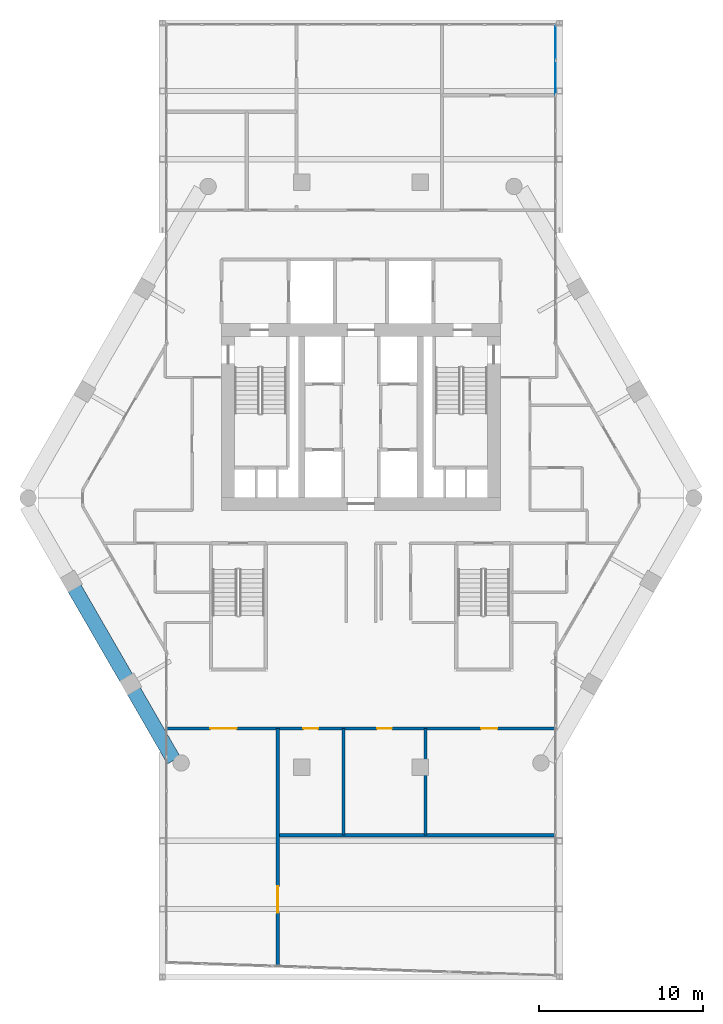
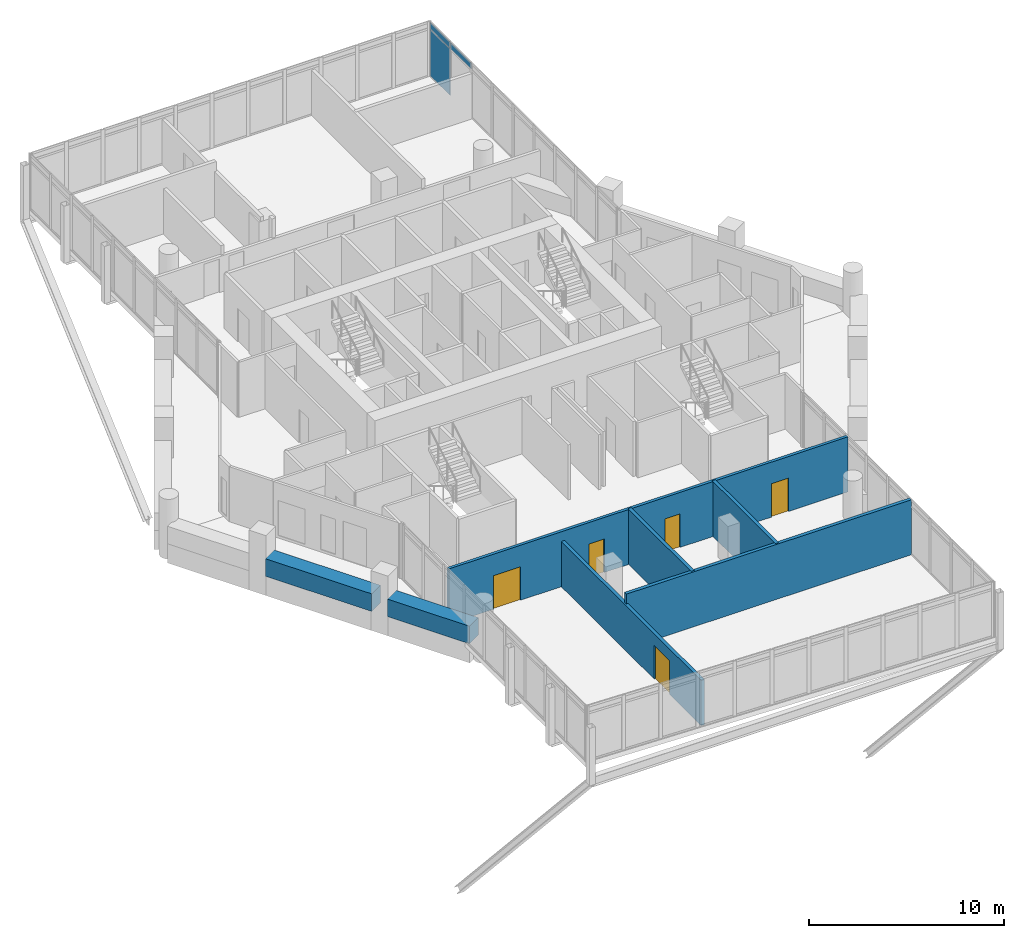
# One storey, part 31 of 38: 7 walls, 5 doors, 3 plates, 5 openings, 1 element without a shape of its own.
"""IFC4 building model written with IfcOpenShell, lengths in metres."""

from ifc_helpers import new_model, si_unit, direction, frame, frame_2d, origin, origin_2d, place, context, subcontext, project, spatial, rectangle, extrude, material, layer, layer_set, type_object, element, fill, aggregate, save


model = new_model("IFC4")

# Units and contexts
model_context = context("Model", 3, precision=1e-05, world=origin(), true_north=direction((0.0, 1.0)))
body_context = subcontext(model_context, "Body", "Model", "MODEL_VIEW")
ifc_project = project(units=[si_unit("LENGTHUNIT", "METRE"), si_unit("AREAUNIT", "SQUARE_METRE"), si_unit("VOLUMEUNIT", "CUBIC_METRE"), si_unit("PLANEANGLEUNIT", "RADIAN"), si_unit("MASSUNIT", "GRAM", prefix="KILO")], contexts=[model_context])

# Site, building, storey
site_placement = place(None, origin())
site = spatial("IfcSite", under=ifc_project, at=site_placement, CompositionType="ELEMENT")
building_placement = place(site_placement, origin())
building = spatial("IfcBuilding", under=site, at=building_placement, Name="Ostrander Bayou Hotel Tower", CompositionType="ELEMENT")
storey_placement = place(building_placement, frame((0.0, 0.0, 194.5)))
storey = spatial("IfcBuildingStorey", under=building, at=storey_placement, Name="L48", CompositionType="ELEMENT", Elevation=194.5)

# Curtain wall, plates
ifc_material_1 = material(Name="Aluminium and clear glass", Category="aluminium")
curtain_wall_type = type_object("IfcCurtainWallType", Name="CW-BAR glazed wall", PredefinedType="NOTDEFINED", material=ifc_material_1)
curtain_wall_placement = place(storey_placement, origin())
curtain_wall = element("IfcCurtainWall", 1, at=curtain_wall_placement, inside=storey, type_object=curtain_wall_type, Name="CW-BAR L48:SB4N:W", PredefinedType="NOTDEFINED")
ifc_material_2 = material(Name="Clear laminated glass", Category="glass")
ifc_layer_1 = layer(ifc_material_2, 0.028076171875)
ifc_layer_set_1 = layer_set([ifc_layer_1], Name="CW-BR glazing panel 28 mm")
plate_type = type_object("IfcPlateType", Name="CW-BR glazing panel 28 mm", PredefinedType="CURTAIN_PANEL", material=ifc_layer_set_1)
plate_1_placement = place(storey_placement, frame((11.857177734375, 24.69091796875, 3.02978515625), z_axis=(0.0, 0.0, 1.0), x_axis=(0.0, 1.0, 0.0)))
plate_1 = element("IfcPlate", 2, at=plate_1_placement, type_object=plate_type, Name="CW-BAR panel 8.2", PredefinedType="CURTAIN_PANEL", context=body_context, shape_type="SweptSolid", body=[
    extrude(rectangle(XDim=2.090087890625, YDim=0.028076171875, at=origin_2d()), origin(), (0.0, 0.0, 1.0), 0.360107421875),
])
plate_2_placement = place(storey_placement, frame((11.857177734375, 26.825927734375, 0.06005859375), z_axis=(0.0, 0.0, 1.0), x_axis=(0.0, 1.0, 0.0)))
plate_2 = element("IfcPlate", 3, at=plate_2_placement, type_object=plate_type, Name="CW-BAR panel 9.1", PredefinedType="CURTAIN_PANEL", context=body_context, shape_type="SweptSolid", body=[
    extrude(rectangle(XDim=2.060302734375, YDim=0.028076171875, at=origin_2d()), origin(), (0.0, 0.0, 1.0), 2.909912109375),
])
plate_3_placement = place(storey_placement, frame((11.857177734375, 26.825927734375, 3.02978515625), z_axis=(0.0, 0.0, 1.0), x_axis=(0.0, 1.0, 0.0)))
plate_3 = element("IfcPlate", 4, at=plate_3_placement, type_object=plate_type, Name="CW-BAR panel 9.2", PredefinedType="CURTAIN_PANEL", context=body_context, shape_type="SweptSolid", body=[
    extrude(rectangle(XDim=2.060302734375, YDim=0.028076171875, at=origin_2d()), origin(), (0.0, 0.0, 1.0), 0.360107421875),
])
aggregate(curtain_wall, [plate_1, plate_2, plate_3])

# Walls
ifc_material_3 = material(Name="Limestone masonry", Category="masonry")
ifc_layer_2 = layer(ifc_material_3, 0.89990234375)
ifc_layer_set_2 = layer_set([ifc_layer_2], Name="PA2 limestone parapet 900 mm")
wall_type_1 = type_object("IfcWallType", Name="PA2 limestone parapet 900 mm", PredefinedType="PARAPET", material=ifc_layer_set_2)
wall_1_placement = place(storey_placement, frame((-17.465576171875, -6.44873046875, 0.0), z_axis=(0.0, 0.0, 1.0), x_axis=(0.500013351051, -0.866017695414, 0.0)))
element("IfcWall", 5, at=wall_1_placement, inside=storey, type_object=wall_type_1, Name="PA2 L48 SW-2", PredefinedType="PARAPET", context=body_context, shape_type="SweptSolid", body=[
    extrude(rectangle(XDim=6.296142578125, YDim=0.89990234375, at=frame_2d((3.14794921875, 0.0))), origin(), (0.0, 0.0, 1.0), 1.10009765625),
])
wall_2_placement = place(storey_placement, frame((-13.847412109375, -12.71533203125, 0.0), z_axis=(0.0, 0.0, 1.0), x_axis=(0.499974254476, -0.866040267459, 0.0)))
element("IfcWall", 6, at=wall_2_placement, inside=storey, type_object=wall_type_1, Name="PA2 L48 SW-3", PredefinedType="PARAPET", context=body_context, shape_type="SweptSolid", body=[
    extrude(rectangle(XDim=4.867919921875, YDim=0.89990234375, at=frame_2d((2.43408203125, 0.0))), origin(), (0.0, 0.0, 1.0), 1.10009765625),
])
ifc_material_4 = material(Name="Gypsum board partition", Category="finish")
ifc_layer_3 = layer(ifc_material_4, 0.199951171875)
ifc_layer_set_3 = layer_set([ifc_layer_3], Name="PT3 demising wall 200 mm acoustic double stud, 1 hour")
wall_type_2 = type_object("IfcWallType", Name="PT3 demising wall 200 mm acoustic double stud, 1 hour", PredefinedType="PARTITIONING", material=ifc_layer_set_3)
wall_3_placement = place(storey_placement, frame((-5.06787109375, -21.5, 0.0), z_axis=(0.0, 0.0, 1.0), x_axis=(1.0, 0.0, 0.0)))
element("IfcWall", 7, at=wall_3_placement, inside=storey, type_object=wall_type_2, Name="sw:L48:502", PredefinedType="PARTITIONING", context=body_context, shape_type="SweptSolid", body=[
    extrude(rectangle(XDim=16.906005859375, YDim=0.199951171875, at=frame_2d((8.453125, 0.0))), origin(), (0.0, 0.0, 1.0), 3.449951171875),
])

# Wall, opening, door
wall_4_placement = place(storey_placement, frame((-5.068115234375, -29.461181640625, 0.0), z_axis=(0.0, 0.0, 1.0), x_axis=(0.0, 1.0, 0.0)))
wall_4 = element("IfcWall", 8, at=wall_4_placement, inside=storey, type_object=wall_type_2, Name="sw:L48:506", PredefinedType="PARTITIONING", context=body_context, shape_type="SweptSolid", body=[
    extrude(rectangle(XDim=14.461181640625, YDim=0.199951171875, at=frame_2d((7.23046875, 0.0))), origin(), (0.0, 0.0, 1.0), 2.8388671875),
])
opening_1_placement = place(wall_4_placement, frame((3.236083984375, 0.0, 0.0)))
opening_1 = element("IfcOpeningElement", 9, at=opening_1_placement, cuts=wall_4, Name="Opening T48-1204", PredefinedType="OPENING", context=body_context, shape_type="SweptSolid", body=[
    extrude(rectangle(XDim=1.60009765625, YDim=2.10009765625, at=frame_2d((0.800048828125, 1.050048828125))), frame((0.0, 0.10009765625, 0.0), z_axis=(0.0, -1.0, 0.0), x_axis=(1.0, 0.0, 0.0)), (0.0, 0.0, 1.0), 0.199951171875),
])
ifc_material_5 = material(Name="Timber door leaf", Category="wood")
door_type_1 = type_object("IfcDoorType", Name="D13 double door 1600 x 2100 mm, 1 hour", OperationType="SINGLE_SWING_LEFT", PredefinedType="DOOR", material=ifc_material_5)
door_1_placement = place(opening_1_placement, origin())
door_1 = element("IfcDoor", 10, at=door_1_placement, inside=storey, type_object=door_type_1, Name="dr:L48:1204", OperationType="DOUBLE_DOOR_SINGLE_SWING", OverallHeight=2.10009765625, OverallWidth=1.60009765625, PredefinedType="DOOR", context=body_context, shape_type="SweptSolid", body=[
    extrude(rectangle(XDim=1.60009765625, YDim=2.10009765625, at=frame_2d((0.800048828125, 1.050048828125))), frame((0.0, 0.02490234375, 0.0), z_axis=(0.0, -1.0, 0.0), x_axis=(1.0, 0.0, 0.0)), (0.0, 0.0, 1.0), 0.050048828125),
])
fill(opening_1, door_1)

# Walls
for number, where, z_axis, x_axis, name in (
    (11, (-1.068115234375, -21.5, 0.0), (0.0, 0.0, 1.0), (0.0, 1.0, 0.0), "sw:L48:509"),
    (12, (3.931884765625, -21.5, 0.0), (0.0, 0.0, 1.0), (0.0, 1.0, 0.0), "sw:L48:510"),
):
    element("IfcWall", number, at=place(storey_placement, frame(where, z_axis=z_axis, x_axis=x_axis)), inside=storey, type_object=wall_type_2, Name=name, PredefinedType="PARTITIONING", context=body_context, shape_type="SweptSolid", body=[
        extrude(rectangle(XDim=6.5, YDim=0.199951171875, at=frame_2d((3.25, 0.0))), origin(), (0.0, 0.0, 1.0), 3.449951171875),
    ])

# Wall, openings, doors
ifc_material_6 = material(Name="Gypsum board partition", Category="finish")
ifc_layer_4 = layer(ifc_material_6, 0.175048828125)
ifc_layer_set_4 = layer_set([ifc_layer_4], Name="PT4 corridor wall 175 mm, 1 hour")
wall_type_3 = type_object("IfcWallType", Name="PT4 corridor wall 175 mm, 1 hour", PredefinedType="PARTITIONING", material=ifc_layer_set_4)
wall_5_placement = place(storey_placement, frame((-11.838134765625, -15.0, 0.0), z_axis=(0.0, 0.0, 1.0), x_axis=(1.0, 0.0, 0.0)))
wall_5 = element("IfcWall", 13, at=wall_5_placement, inside=storey, type_object=wall_type_3, Name="sw:L48:500", PredefinedType="PARTITIONING", context=body_context, shape_type="SweptSolid", body=[
    extrude(rectangle(XDim=23.67626953125, YDim=0.175048828125, at=frame_2d((11.838134765625, 0.0))), origin(), (0.0, 0.0, 1.0), 3.449951171875),
])
opening_2_placement = place(wall_5_placement, frame((8.3203125, 0.0, 0.0)))
opening_2 = element("IfcOpeningElement", 14, at=opening_2_placement, cuts=wall_5, Name="Opening T48-1200", PredefinedType="OPENING", context=body_context, shape_type="SweptSolid", body=[
    extrude(rectangle(XDim=0.89990234375, YDim=2.10009765625, at=frame_2d((0.449951171875, 1.050048828125))), frame((0.0, 0.08740234375, 0.0), z_axis=(0.0, -1.0, 0.0), x_axis=(1.0, 0.0, 0.0)), (0.0, 0.0, 1.0), 0.175048828125),
])
opening_3_placement = place(wall_5_placement, frame((12.8203125, 0.0, 0.0)))
opening_3 = element("IfcOpeningElement", 15, at=opening_3_placement, cuts=wall_5, Name="Opening T48-1201", PredefinedType="OPENING", context=body_context, shape_type="SweptSolid", body=[
    extrude(rectangle(XDim=0.89990234375, YDim=2.10009765625, at=frame_2d((0.449951171875, 1.050048828125))), frame((0.0, 0.08740234375, 0.0), z_axis=(0.0, -1.0, 0.0), x_axis=(1.0, 0.0, 0.0)), (0.0, 0.0, 1.0), 0.175048828125),
])
opening_4_placement = place(wall_5_placement, frame((19.155517578125, 0.0, 0.0)))
opening_4 = element("IfcOpeningElement", 16, at=opening_4_placement, cuts=wall_5, Name="Opening T48-1202", PredefinedType="OPENING", context=body_context, shape_type="SweptSolid", body=[
    extrude(rectangle(XDim=1.0, YDim=2.10009765625, at=frame_2d((0.5, 1.050048828125))), frame((0.0, 0.08740234375, 0.0), z_axis=(0.0, -1.0, 0.0), x_axis=(1.0, 0.0, 0.0)), (0.0, 0.0, 1.0), 0.175048828125),
])
opening_5_placement = place(wall_5_placement, frame((2.6533203125, 0.0, 0.0)))
opening_5 = element("IfcOpeningElement", 17, at=opening_5_placement, cuts=wall_5, Name="Opening T48-1203", PredefinedType="OPENING", context=body_context, shape_type="SweptSolid", body=[
    extrude(rectangle(XDim=1.60009765625, YDim=2.10009765625, at=frame_2d((0.800048828125, 1.050048828125))), frame((0.0, 0.08740234375, 0.0), z_axis=(0.0, -1.0, 0.0), x_axis=(1.0, 0.0, 0.0)), (0.0, 0.0, 1.0), 0.175048828125),
])
door_2_placement = place(opening_5_placement, origin())
door_2 = element("IfcDoor", 18, at=door_2_placement, inside=storey, type_object=door_type_1, Name="dr:L48:1203", OperationType="DOUBLE_DOOR_SINGLE_SWING", OverallHeight=2.10009765625, OverallWidth=1.60009765625, PredefinedType="DOOR", context=body_context, shape_type="SweptSolid", body=[
    extrude(rectangle(XDim=1.60009765625, YDim=2.10009765625, at=frame_2d((0.800048828125, 1.050048828125))), frame((0.0, 0.02490234375, 0.0), z_axis=(0.0, -1.0, 0.0), x_axis=(1.0, 0.0, 0.0)), (0.0, 0.0, 1.0), 0.050048828125),
])
fill(opening_5, door_2)
ifc_material_7 = material(Name="Timber door leaf", Category="wood")
door_type_2 = type_object("IfcDoorType", Name="D8 room door 900 x 2100 mm", OperationType="SINGLE_SWING_LEFT", PredefinedType="DOOR", material=ifc_material_7)
door_3_placement = place(opening_2_placement, origin())
door_3 = element("IfcDoor", 19, at=door_3_placement, inside=storey, type_object=door_type_2, Name="dr:L48:1200", OperationType="SINGLE_SWING_RIGHT", OverallHeight=2.10009765625, OverallWidth=0.89990234375, PredefinedType="DOOR", context=body_context, shape_type="SweptSolid", body=[
    extrude(rectangle(XDim=0.89990234375, YDim=2.10009765625, at=frame_2d((0.449951171875, 1.050048828125))), frame((0.0, 0.02490234375, 0.0), z_axis=(0.0, -1.0, 0.0), x_axis=(1.0, 0.0, 0.0)), (0.0, 0.0, 1.0), 0.050048828125),
])
fill(opening_2, door_3)
door_4_placement = place(opening_3_placement, origin())
door_4 = element("IfcDoor", 20, at=door_4_placement, inside=storey, type_object=door_type_2, Name="dr:L48:1201", OperationType="SINGLE_SWING_LEFT", OverallHeight=2.10009765625, OverallWidth=0.89990234375, PredefinedType="DOOR", context=body_context, shape_type="SweptSolid", body=[
    extrude(rectangle(XDim=0.89990234375, YDim=2.10009765625, at=frame_2d((0.449951171875, 1.050048828125))), frame((0.0, 0.02490234375, 0.0), z_axis=(0.0, -1.0, 0.0), x_axis=(1.0, 0.0, 0.0)), (0.0, 0.0, 1.0), 0.050048828125),
])
fill(opening_3, door_4)
ifc_material_8 = material(Name="Timber door leaf", Category="wood")
door_type_3 = type_object("IfcDoorType", Name="D9 service door 1000 x 2100 mm, 30 minute", OperationType="SINGLE_SWING_LEFT", PredefinedType="DOOR", material=ifc_material_8)
door_5_placement = place(opening_4_placement, origin())
door_5 = element("IfcDoor", 21, at=door_5_placement, inside=storey, type_object=door_type_3, Name="dr:L48:1202", OperationType="SINGLE_SWING_RIGHT", OverallHeight=2.10009765625, OverallWidth=1.0, PredefinedType="DOOR", context=body_context, shape_type="SweptSolid", body=[
    extrude(rectangle(XDim=1.0, YDim=2.10009765625, at=frame_2d((0.5, 1.050048828125))), frame((0.0, 0.02490234375, 0.0), z_axis=(0.0, -1.0, 0.0), x_axis=(1.0, 0.0, 0.0)), (0.0, 0.0, 1.0), 0.050048828125),
])
fill(opening_4, door_5)

save(model, "model.ifc")
